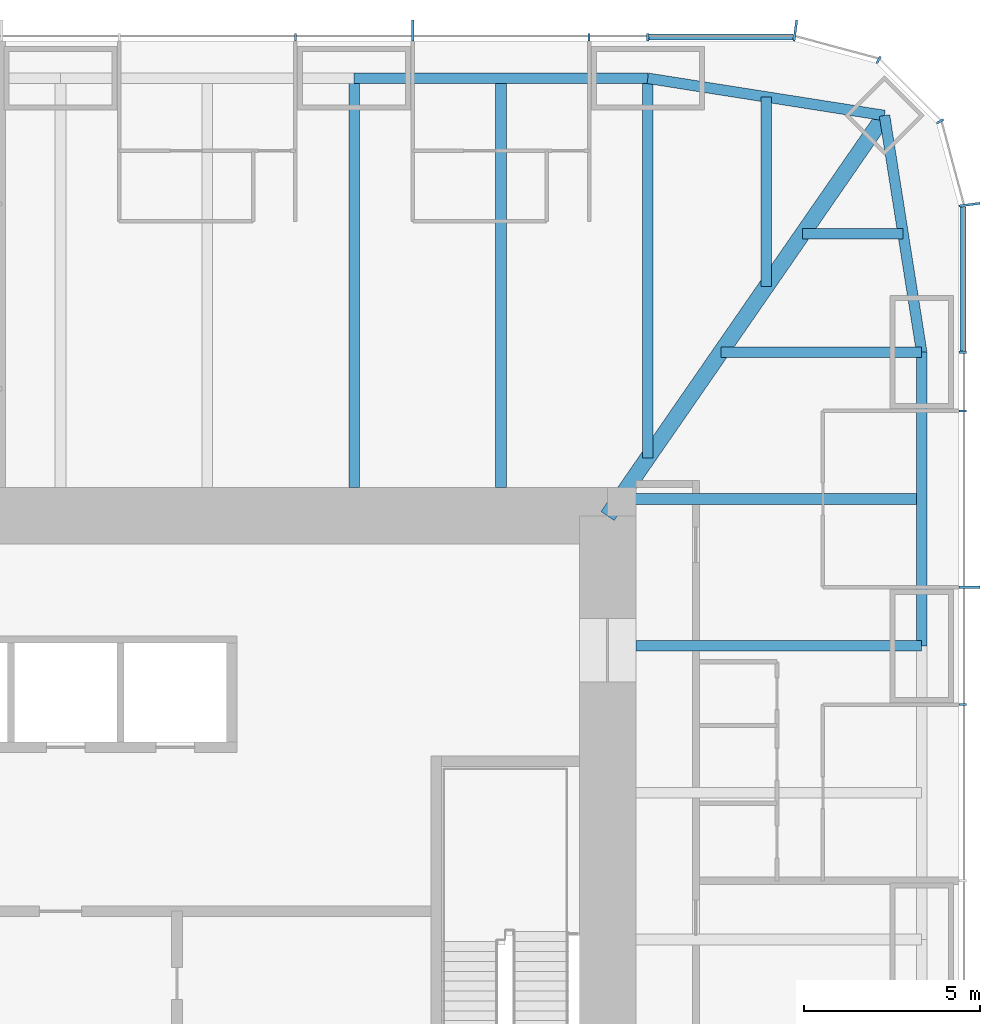
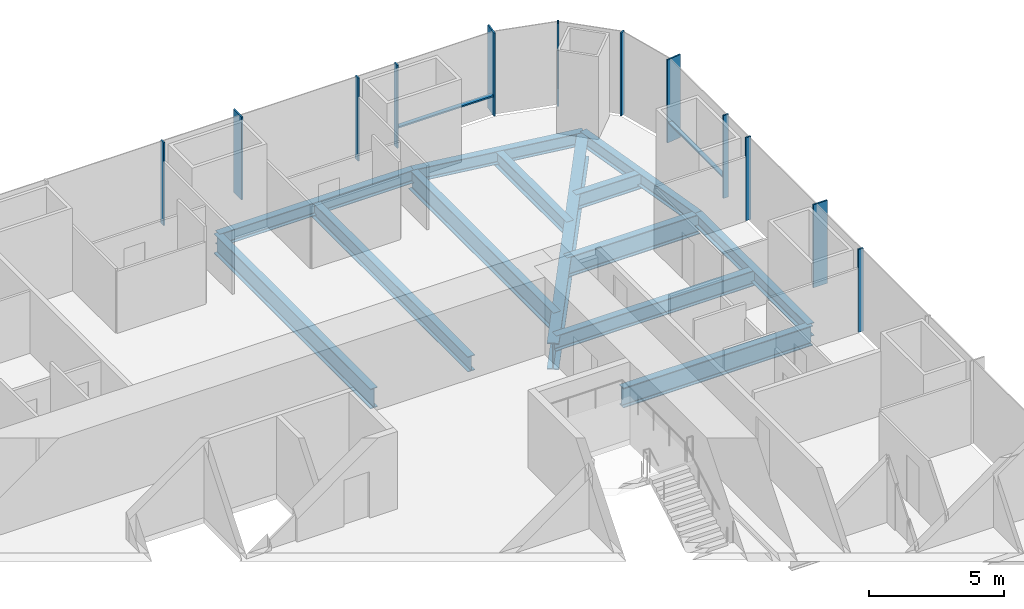
# One storey, part 6 of 13: 14 members, 13 beams, 3 elements without a shape of their own.
"""IFC4 building model written with IfcOpenShell, lengths in metres."""

import ifcopenshell
import ifcopenshell.guid

model = None  # the IFC model being written
_history = None  # IfcOwnerHistory: only IFC2X3 demands one
_inside = {}  # id of a spatial element -> (the spatial element, [elements in it])
_under = {}  # id of a project, library or spatial element -> (it, [spatial elements below it])
_declared = {}  # id of a project -> (the project, [libraries it declares])
_typed = {}  # id of a type object -> (the type object, [elements of that type])
_made_of = {}  # id of a material, layer set ... -> (it, [elements and type objects made of it])


def new_model(schema):
    """Start an empty IFC model of exactly this schema.

    Asked for "IFC4X3", IfcOpenShell would pick the latest addendum, in which some entities
    have other attributes; the version numbers below select the first issue.
    IFC2X3 requires an IfcOwnerHistory on every rooted entity: one is made here for all.
    """
    global model, _history
    if schema == "IFC4X3":
        model = ifcopenshell.file(schema_version=(4, 3, 0, 0))
    else:
        model = ifcopenshell.file(schema=schema)
    _inside.clear()
    _under.clear()
    _declared.clear()
    _typed.clear()
    _made_of.clear()
    _history = None
    if model.schema == "IFC2X3":
        org = make("IfcOrganization", Name="unknown")
        user = make(
            "IfcPersonAndOrganization",
            ThePerson=make("IfcPerson", FamilyName="unknown"),
            TheOrganization=org,
        )
        app = make(
            "IfcApplication",
            ApplicationDeveloper=org,
            Version="unknown",
            ApplicationFullName="unknown",
            ApplicationIdentifier="unknown",
        )
        _history = make(
            "IfcOwnerHistory",
            OwningUser=user,
            OwningApplication=app,
            ChangeAction="ADDED",
            CreationDate=0,
        )
    return model


def make(cls, **values):
    """One entity of the class cls with the attributes given. An attribute that is None is left unset."""
    return model.create_entity(
        cls, **{name: value for name, value in values.items() if value is not None}
    )


def rooted(cls, **values):
    """An entity with a GlobalId (a new one), such as an element, a storey or a relation."""
    return make(cls, GlobalId=ifcopenshell.guid.new(), OwnerHistory=_history, **values)


def si_unit(unit_type, name, prefix=None):
    """IfcSIUnit, for example si_unit("LENGTHUNIT", "METRE", prefix="MILLI")."""
    return make("IfcSIUnit", UnitType=unit_type, Prefix=prefix, Name=name)


def assignment(units):
    """IfcUnitAssignment: the units of a project."""
    return None if units is None else make("IfcUnitAssignment", Units=units)


def point(xyz):
    """IfcCartesianPoint."""
    return None if xyz is None else make("IfcCartesianPoint", Coordinates=xyz)


def direction(xyz):
    """IfcDirection."""
    return None if xyz is None else make("IfcDirection", DirectionRatios=xyz)


def frame(location, z_axis=None, x_axis=None):
    """IfcAxis2Placement3D, a coordinate frame: its origin and axes. An axis left out is left unset."""
    return make(
        "IfcAxis2Placement3D",
        Location=point(location),
        Axis=direction(z_axis),
        RefDirection=direction(x_axis),
    )


def frame_2d(location, x_axis=None):
    """IfcAxis2Placement2D, a coordinate frame in the plane: its origin and x axis."""
    return make(
        "IfcAxis2Placement2D", Location=point(location), RefDirection=direction(x_axis)
    )


def origin():
    """The frame at (0, 0, 0) with its axes left unset."""
    return frame((0.0, 0.0, 0.0))


def origin_2d():
    """The frame at (0, 0) in the plane with its x axis left unset."""
    return frame_2d((0.0, 0.0))


def place(relative_to, where):
    """IfcLocalPlacement: puts the frame where relative to a parent placement (None: the world)."""
    return make(
        "IfcLocalPlacement", PlacementRelTo=relative_to, RelativePlacement=where
    )


def context(
    kind, dimensions, precision=None, world=None, true_north=None, identifier=None
):
    """IfcGeometricRepresentationContext, for example the 3D "Model" context."""
    return make(
        "IfcGeometricRepresentationContext",
        ContextIdentifier=identifier,
        ContextType=kind,
        CoordinateSpaceDimension=dimensions,
        Precision=precision,
        WorldCoordinateSystem=world,
        TrueNorth=true_north,
    )


def subcontext(parent, identifier, kind, view, scale=None):
    """IfcGeometricRepresentationSubContext, for example "Body" below "Model"."""
    return make(
        "IfcGeometricRepresentationSubContext",
        ContextIdentifier=identifier,
        ContextType=kind,
        ParentContext=parent,
        TargetScale=scale,
        TargetView=view,
    )


def project(units=None, contexts=None):
    """IfcProject with its units and contexts."""
    return rooted(
        "IfcProject",
        Name="project",
        RepresentationContexts=contexts,
        UnitsInContext=assignment(units),
    )


def spatial(cls, under=None, at=None, **own):
    """A site, building, storey or space (cls), placed at a placement, below another one or the project."""
    s = rooted(cls, ObjectPlacement=at, **own)
    if under is not None:
        _under.setdefault(under.id(), (under, []))[1].append(s)
    return s


def profile(cls, at=None, kind="AREA", **sizes):
    """A parametric profile (cls). Its sizes go by their IFC names, for example OverallWidth=200.0."""
    return make(cls, ProfileType=kind, Position=at, **sizes)


def rectangle(**sizes):
    """IfcRectangleProfileDef."""
    return profile("IfcRectangleProfileDef", **sizes)


def i_section(**sizes):
    """IfcIShapeProfileDef."""
    return profile("IfcIShapeProfileDef", **sizes)


def extrude(swept, where, along, depth):
    """IfcExtrudedAreaSolid: the profile swept, set in the frame where, extruded along a direction by depth."""
    return make(
        "IfcExtrudedAreaSolid",
        SweptArea=swept,
        Position=where,
        ExtrudedDirection=direction(along),
        Depth=depth,
    )


def shape(context_of_items, identifier, shape_type, items):
    """IfcShapeRepresentation: the items that make up one representation, for example the "Body"."""
    return make(
        "IfcShapeRepresentation",
        ContextOfItems=context_of_items,
        RepresentationIdentifier=identifier,
        RepresentationType=shape_type,
        Items=items,
    )


def material(Name=None, Category=None):
    """IfcMaterial."""
    return make("IfcMaterial", Name=Name, Category=Category)


def material_profile(
    of_material, cross_section, Name=None, Category=None, Priority=None
):
    """IfcMaterialProfile: a cross section and its material."""
    return make(
        "IfcMaterialProfile",
        Name=Name,
        Material=of_material,
        Profile=cross_section,
        Priority=Priority,
        Category=Category,
    )


def profile_set(profiles, Name=None, composite=None):
    """IfcMaterialProfileSet."""
    return make(
        "IfcMaterialProfileSet",
        Name=Name,
        MaterialProfiles=profiles,
        CompositeProfile=composite,
    )


def made_of(thing, what):
    """Note that an element or type object is made of a material, layer set ...; save() writes the relation."""
    if what is not None:
        _made_of.setdefault(what.id(), (what, []))[1].append(thing)
    return thing


def type_object(cls, material=None, **own):
    """A type object (cls), such as IfcWallType, which elements share."""
    return made_of(rooted(cls, **own), material)


def element(
    cls,
    number,
    at=None,
    inside=None,
    cuts=None,
    type_object=None,
    material=None,
    context=None,
    identifier="Body",
    shape_type=None,
    held_by="IfcProductDefinitionShape",
    body=None,
    shapes=None,
    **own,
):
    """One element of the class cls, such as IfcWall. Its Tag is "e" and its number.

    at: its placement. inside: the storey or other place that contains it. cuts: it is an
    opening in that element (IfcRelVoidsElement). A single representation is given by context,
    identifier, shape_type and body (its items); several are given by shapes. held_by: the class
    of the entity that holds the representations. save() writes the other relations.
    """
    e = rooted(cls, Tag="e%d" % number, ObjectPlacement=at, **own)
    if body is not None:
        shapes = [shape(context, identifier, shape_type, body)]
    if shapes is not None:
        e.Representation = make(held_by, Representations=shapes)
    if inside is not None:
        _inside.setdefault(inside.id(), (inside, []))[1].append(e)
    if cuts is not None:
        rooted(
            "IfcRelVoidsElement", RelatingBuildingElement=cuts, RelatedOpeningElement=e
        )
    if type_object is not None:
        _typed.setdefault(type_object.id(), (type_object, []))[1].append(e)
    return made_of(e, material)


def aggregate(whole, parts):
    """IfcRelAggregates: a whole, such as a stair, and the parts it consists of."""
    return rooted("IfcRelAggregates", RelatingObject=whole, RelatedObjects=parts)


def save(model, path):
    """Write the relations noted so far, then the file.

    IfcRelAggregates (storeys below a building ...), IfcRelContainedInSpatialStructure (elements
    in a storey), IfcRelDefinesByType, IfcRelAssociatesMaterial and IfcRelDeclares: one each for
    every whole, place, type object, material and project.
    """
    for whole, parts in _under.values():
        aggregate(whole, parts)
    for where, things in _inside.values():
        rooted(
            "IfcRelContainedInSpatialStructure",
            RelatedElements=things,
            RelatingStructure=where,
        )
    for kind, things in _typed.values():
        rooted("IfcRelDefinesByType", RelatedObjects=things, RelatingType=kind)
    for what, things in _made_of.values():
        rooted("IfcRelAssociatesMaterial", RelatedObjects=things, RelatingMaterial=what)
    for by, libraries in _declared.values():
        rooted("IfcRelDeclares", RelatingContext=by, RelatedDefinitions=libraries)
    model.write(path)


model = new_model("IFC4")

# Units and contexts
model_context = context("Model", 3, precision=1e-05, world=origin(), true_north=direction((0.0, 1.0)))
body_context = subcontext(model_context, "Body", "Model", "MODEL_VIEW")
ifc_project = project(units=[si_unit("LENGTHUNIT", "METRE"), si_unit("AREAUNIT", "SQUARE_METRE"), si_unit("VOLUMEUNIT", "CUBIC_METRE"), si_unit("PLANEANGLEUNIT", "RADIAN"), si_unit("MASSUNIT", "GRAM", prefix="KILO")], contexts=[model_context])

# Site, building, storey
site_placement = place(None, origin())
site = spatial("IfcSite", under=ifc_project, at=site_placement, CompositionType="ELEMENT")
building_placement = place(site_placement, origin())
building = spatial("IfcBuilding", under=site, at=building_placement, Name="Khuree Lantern Residences", CompositionType="ELEMENT")
storey_placement = place(building_placement, frame((0.0, 0.0, 267.0)))
storey = spatial("IfcBuildingStorey", under=building, at=storey_placement, Name="L67", CompositionType="ELEMENT", Elevation=267.0)

# Beams
ifc_material_1 = material(Name="Steel S355", Category="steel")
ifc_material_profile_1 = material_profile(ifc_material_1, i_section(OverallWidth=0.300048828125, OverallDepth=0.68994140625, WebThickness=0.014404296875, FlangeThickness=0.027099609375, FilletRadius=0.027099609375, at=origin_2d()), Name="HE 700 A")
ifc_profile_set_1 = profile_set([ifc_material_profile_1], Name="Steel S355")
beam_type_1 = type_object("IfcBeamType", Name="B-35 SECONDARY BEAM HE 700 A", PredefinedType="BEAM", material=ifc_profile_set_1)
beam_1_placement = place(storey_placement, frame((12.47998046875, 24.39990234375, -0.594970703125), z_axis=(0.0, -1.0, 0.0), x_axis=(1.0, 0.0, 0.0)))
element("IfcBeam", 1, at=beam_1_placement, inside=storey, type_object=beam_type_1, Name="Secondary beam N4", PredefinedType="BEAM", context=body_context, shape_type="SweptSolid", body=[
    extrude(i_section(OverallWidth=0.300048828125, OverallDepth=0.68994140625, WebThickness=0.014404296875, FlangeThickness=0.027099609375, FilletRadius=0.027099609375, at=origin_2d()), origin(), (0.0, 0.0, 1.0), 11.599853515625),
])
beam_2_placement = place(storey_placement, frame((19.992919921875, 23.872802734375, -0.594970703125), z_axis=(0.0, -1.0, 0.0), x_axis=(1.0, 0.0, 0.0)))
element("IfcBeam", 2, at=beam_2_placement, inside=storey, type_object=beam_type_1, Name="Secondary beam N5", PredefinedType="BEAM", context=body_context, shape_type="SweptSolid", body=[
    extrude(i_section(OverallWidth=0.300048828125, OverallDepth=0.68994140625, WebThickness=0.014404296875, FlangeThickness=0.027099609375, FilletRadius=0.027099609375, at=origin_2d()), origin(), (0.0, 0.0, 1.0), 5.375732421875),
])
beam_3_placement = place(storey_placement, frame((23.872802734375, 19.992919921875, -0.594970703125), z_axis=(-1.0, 0.0, 0.0), x_axis=(0.0, -1.0, 0.0)))
element("IfcBeam", 3, at=beam_3_placement, inside=storey, type_object=beam_type_1, Name="Secondary beam E1", PredefinedType="BEAM", context=body_context, shape_type="SweptSolid", body=[
    extrude(i_section(OverallWidth=0.300048828125, OverallDepth=0.68994140625, WebThickness=0.014404296875, FlangeThickness=0.027099609375, FilletRadius=0.027099609375, at=origin_2d()), origin(), (0.0, 0.0, 1.0), 2.845703125),
])
beam_4_placement = place(storey_placement, frame((24.39990234375, 12.47998046875, -0.594970703125), z_axis=(-1.0, 0.0, 0.0), x_axis=(0.0, -1.0, 0.0)))
element("IfcBeam", 4, at=beam_4_placement, inside=storey, type_object=beam_type_1, Name="Secondary beam E2", PredefinedType="BEAM", context=body_context, shape_type="SweptSolid", body=[
    extrude(i_section(OverallWidth=0.300048828125, OverallDepth=0.68994140625, WebThickness=0.014404296875, FlangeThickness=0.027099609375, FilletRadius=0.027099609375, at=origin_2d()), origin(), (0.0, 0.0, 1.0), 8.56787109375),
])
ifc_material_profile_2 = material_profile(ifc_material_1, i_section(OverallWidth=0.300048828125, OverallDepth=0.590087890625, WebThickness=0.012939453125, FlangeThickness=0.02490234375, FilletRadius=0.027099609375, at=origin_2d()), Name="HE 600 A")
ifc_profile_set_2 = profile_set([ifc_material_profile_2], Name="Steel S355")
beam_type_2 = type_object("IfcBeamType", Name="E-35 SPANDREL BEAM HE 600 A", PredefinedType="SPANDREL", material=ifc_profile_set_2)
beam_5_placement = place(storey_placement, frame((8.320068359375, 24.39990234375, -0.544921875), z_axis=(1.0, 0.0, 0.0), x_axis=(0.0, 1.0, 0.0)))
element("IfcBeam", 5, at=beam_5_placement, inside=storey, type_object=beam_type_2, Name="Spandrel beam N4", PredefinedType="SPANDREL", context=body_context, shape_type="SweptSolid", body=[
    extrude(i_section(OverallWidth=0.300048828125, OverallDepth=0.590087890625, WebThickness=0.012939453125, FlangeThickness=0.02490234375, FilletRadius=0.027099609375, at=origin_2d()), origin(), (0.0, 0.0, 1.0), 8.31982421875),
])
for number, where, z_axis, x_axis, name in (
    (6, (16.639892578125, 24.39990234375, -0.544921875), (0.98786743189, -0.155299507442, 0.0), (0.155299507442, 0.98786743189, 0.0), "Spandrel beam N5"),
    (7, (23.345703125, 23.345703125, -0.544921875), (0.155299507442, -0.98786743189, 0.0), (0.98786743189, 0.155299507442, 0.0), "Spandrel beam E1"),
):
    element("IfcBeam", number, at=place(storey_placement, frame(where, z_axis=z_axis, x_axis=x_axis)), inside=storey, type_object=beam_type_2, Name=name, PredefinedType="SPANDREL", context=body_context, shape_type="SweptSolid", body=[
        extrude(i_section(OverallWidth=0.300048828125, OverallDepth=0.590087890625, WebThickness=0.012939453125, FlangeThickness=0.02490234375, FilletRadius=0.027099609375, at=origin_2d()), origin(), (0.0, 0.0, 1.0), 6.7880859375),
    ])
beam_6_placement = place(storey_placement, frame((24.39990234375, 16.639892578125, -0.544921875), z_axis=(0.0, -1.0, 0.0), x_axis=(1.0, 0.0, 0.0)))
element("IfcBeam", 8, at=beam_6_placement, inside=storey, type_object=beam_type_2, Name="Spandrel beam E2", PredefinedType="SPANDREL", context=body_context, shape_type="SweptSolid", body=[
    extrude(i_section(OverallWidth=0.300048828125, OverallDepth=0.590087890625, WebThickness=0.012939453125, FlangeThickness=0.02490234375, FilletRadius=0.027099609375, at=origin_2d()), origin(), (0.0, 0.0, 1.0), 8.31982421875),
])

# Curtain wall, member
ifc_material_2 = material(Name="Bronze anodised aluminium", Category="aluminium")
curtain_wall_type_1 = type_object("IfcCurtainWallType", Name="CW-T1 TOWER FACE CURTAIN WALL", PredefinedType="USERDEFINED", material=ifc_material_2)
curtain_wall_1_placement = place(storey_placement, origin())
curtain_wall_1 = element("IfcCurtainWall", 9, at=curtain_wall_1_placement, inside=storey, type_object=curtain_wall_type_1, Name="L67 EAST FACE CURTAIN WALL", ObjectType="Stick-built curtain wall", PredefinedType="USERDEFINED")
ifc_material_profile_3 = material_profile(ifc_material_2, rectangle(XDim=0.06494140625, YDim=0.60009765625, at=origin_2d()), Name="F1 65X600")
ifc_profile_set_3 = profile_set([ifc_material_profile_3], Name="Bronze anodised aluminium")
member_type_1 = type_object("IfcMemberType", Name="F1 BRONZE FIN MULLION TOWER 65X600", PredefinedType="MULLION", material=ifc_profile_set_3)
member_1_placement = place(storey_placement, frame((25.75, 9.98388671875, 0.0), z_axis=(0.0, 0.0, 1.0), x_axis=(0.0, 1.0, 0.0)))
member_1 = element("IfcMember", 10, at=member_1_placement, type_object=member_type_1, Name="L67 EAST FACE FIN MULLION 12", PredefinedType="MULLION", context=body_context, shape_type="SweptSolid", body=[
    extrude(rectangle(XDim=0.06494140625, YDim=0.60009765625, at=origin_2d()), origin(), (0.0, 0.0, 1.0), 3.75),
])

curtain_wall_type_2 = type_object("IfcCurtainWallType", Name="CW-T2 TOWER CORNER CURTAIN WALL", PredefinedType="USERDEFINED", material=ifc_material_2)
curtain_wall_2_placement = place(storey_placement, origin())
curtain_wall_2 = element("IfcCurtainWall", 11, at=curtain_wall_2_placement, inside=storey, type_object=curtain_wall_type_2, Name="L67 NORTH-EAST CORNER CURTAIN WALL", ObjectType="Faceted corner curtain wall", PredefinedType="USERDEFINED")
member_2_placement = place(storey_placement, frame((25.75, 20.81982421875, 0.0), z_axis=(0.0, 0.0, 1.0), x_axis=(-0.130526180298, 0.991444862943, 0.0)))
member_2 = element("IfcMember", 12, at=member_2_placement, type_object=member_type_1, Name="L67 NORTH-EAST CORNER FIN MULLION 15", PredefinedType="MULLION", context=body_context, shape_type="SweptSolid", body=[
    extrude(rectangle(XDim=0.06494140625, YDim=0.60009765625, at=origin_2d()), origin(), (0.0, 0.0, 1.0), 3.75),
])

# Curtain wall, members
curtain_wall_3_placement = place(storey_placement, origin())
curtain_wall_3 = element("IfcCurtainWall", 13, at=curtain_wall_3_placement, inside=storey, type_object=curtain_wall_type_1, Name="L67 NORTH FACE CURTAIN WALL", ObjectType="Stick-built curtain wall", PredefinedType="USERDEFINED")
member_3_placement = place(storey_placement, frame((20.81982421875, 25.75, 0.0), z_axis=(0.0, 0.0, 1.0), x_axis=(-0.991444862943, 0.130526180298, 0.0)))
member_3 = element("IfcMember", 14, at=member_3_placement, type_object=member_type_1, Name="L67 NORTH FACE FIN MULLION 18", PredefinedType="MULLION", context=body_context, shape_type="SweptSolid", body=[
    extrude(rectangle(XDim=0.06494140625, YDim=0.60009765625, at=origin_2d()), origin(), (0.0, 0.0, 1.0), 3.75),
])
member_4_placement = place(storey_placement, frame((9.98388671875, 25.75, 0.0), z_axis=(0.0, 0.0, 1.0), x_axis=(-1.0, 0.0, 0.0)))
member_4 = element("IfcMember", 15, at=member_4_placement, type_object=member_type_1, Name="L67 NORTH FACE FIN MULLION 21", PredefinedType="MULLION", context=body_context, shape_type="SweptSolid", body=[
    extrude(rectangle(XDim=0.06494140625, YDim=0.60009765625, at=origin_2d()), origin(), (0.0, 0.0, 1.0), 3.75),
])

# Beams
ifc_material_profile_4 = material_profile(ifc_material_1, i_section(OverallWidth=0.300048828125, OverallDepth=0.89990234375, WebThickness=0.0185546875, FlangeThickness=0.034912109375, FilletRadius=0.030029296875, at=origin_2d()), Name="HE 900 B")
ifc_profile_set_4 = profile_set([ifc_material_profile_4], Name="Steel S355")
beam_type_3 = type_object("IfcBeamType", Name="G-35 GIRDER HE 900 B", PredefinedType="BEAM", material=ifc_profile_set_4)
beam_7_placement = place(storey_placement, frame((8.320068359375, 24.39990234375, -0.699951171875), z_axis=(0.0, -1.0, 0.0), x_axis=(1.0, 0.0, 0.0)))
element("IfcBeam", 16, at=beam_7_placement, inside=storey, type_object=beam_type_3, Name="Girder N4", PredefinedType="BEAM", context=body_context, shape_type="SweptSolid", body=[
    extrude(i_section(OverallWidth=0.300048828125, OverallDepth=0.89990234375, WebThickness=0.0185546875, FlangeThickness=0.034912109375, FilletRadius=0.030029296875, at=origin_2d()), origin(), (0.0, 0.0, 1.0), 11.599853515625),
])
beam_8_placement = place(storey_placement, frame((16.639892578125, 24.39990234375, -0.699951171875), z_axis=(0.0, -1.0, 0.0), x_axis=(1.0, 0.0, 0.0)))
element("IfcBeam", 17, at=beam_8_placement, inside=storey, type_object=beam_type_3, Name="Girder N5", PredefinedType="BEAM", context=body_context, shape_type="SweptSolid", body=[
    extrude(i_section(OverallWidth=0.300048828125, OverallDepth=0.89990234375, WebThickness=0.0185546875, FlangeThickness=0.034912109375, FilletRadius=0.030029296875, at=origin_2d()), origin(), (0.0, 0.0, 1.0), 10.751220703125),
])
beam_9_placement = place(storey_placement, frame((24.39990234375, 16.639892578125, -0.699951171875), z_axis=(-1.0, 0.0, 0.0), x_axis=(0.0, -1.0, 0.0)))
element("IfcBeam", 18, at=beam_9_placement, inside=storey, type_object=beam_type_3, Name="Girder E1", PredefinedType="BEAM", context=body_context, shape_type="SweptSolid", body=[
    extrude(i_section(OverallWidth=0.300048828125, OverallDepth=0.89990234375, WebThickness=0.0185546875, FlangeThickness=0.034912109375, FilletRadius=0.030029296875, at=origin_2d()), origin(), (0.0, 0.0, 1.0), 5.69140625),
])
beam_10_placement = place(storey_placement, frame((24.39990234375, 8.320068359375, -0.699951171875), z_axis=(-1.0, 0.0, 0.0), x_axis=(0.0, -1.0, 0.0)))
element("IfcBeam", 19, at=beam_10_placement, inside=storey, type_object=beam_type_3, Name="Girder E2", PredefinedType="BEAM", context=body_context, shape_type="SweptSolid", body=[
    extrude(i_section(OverallWidth=0.300048828125, OverallDepth=0.89990234375, WebThickness=0.0185546875, FlangeThickness=0.034912109375, FilletRadius=0.030029296875, at=origin_2d()), origin(), (0.0, 0.0, 1.0), 8.099853515625),
])
ifc_material_profile_5 = material_profile(ifc_material_1, i_section(OverallWidth=0.449951171875, OverallDepth=1.199951171875, WebThickness=0.02490234375, FlangeThickness=0.044921875, at=origin_2d()), Name="WELDED I 1200X450X25X45")
ifc_profile_set_5 = profile_set([ifc_material_profile_5], Name="Steel S355")
beam_type_4 = type_object("IfcBeamType", Name="GD-35 CORNER GIRDER WELDED I 1200X450X25X45", PredefinedType="BEAM", material=ifc_profile_set_5)
beam_11_placement = place(storey_placement, frame((23.345703125, 23.345703125, -0.85009765625), z_axis=(-0.56876813501, -0.822497907959, 0.0), x_axis=(0.822497907959, -0.56876813501, 0.0)))
element("IfcBeam", 20, at=beam_11_placement, inside=storey, type_object=beam_type_4, Name="Corner girder NE", PredefinedType="BEAM", context=body_context, shape_type="SweptSolid", body=[
    extrude(i_section(OverallWidth=0.449951171875, OverallDepth=1.199951171875, WebThickness=0.02490234375, FlangeThickness=0.044921875, at=origin_2d()), origin(), (0.0, 0.0, 1.0), 13.794189453125),
])

# Member
ifc_material_profile_6 = material_profile(ifc_material_2, rectangle(XDim=0.06494140625, YDim=0.219970703125, at=origin_2d()), Name="M1 65X220")
ifc_profile_set_6 = profile_set([ifc_material_profile_6], Name="Bronze anodised aluminium")
member_type_2 = type_object("IfcMemberType", Name="M1 BRONZE MULLION TOWER 65X220", PredefinedType="MULLION", material=ifc_profile_set_6)
member_5_placement = place(storey_placement, frame((25.56005859375, 6.656005859375, 0.0), z_axis=(0.0, 0.0, 1.0), x_axis=(0.0, 1.0, 0.0)))
member_5 = element("IfcMember", 21, at=member_5_placement, type_object=member_type_2, Name="L67 EAST FACE MULLION 11", PredefinedType="MULLION", context=body_context, shape_type="SweptSolid", body=[
    extrude(rectangle(XDim=0.06494140625, YDim=0.219970703125, at=origin_2d()), origin(), (0.0, 0.0, 1.0), 3.75),
])

member_6_placement = place(storey_placement, frame((25.56005859375, 14.97607421875, 0.0), z_axis=(0.0, 0.0, 1.0), x_axis=(0.0, 1.0, 0.0)))
member_6 = element("IfcMember", 22, at=member_6_placement, type_object=member_type_2, Name="L67 EAST FACE MULLION 13", PredefinedType="MULLION", context=body_context, shape_type="SweptSolid", body=[
    extrude(rectangle(XDim=0.06494140625, YDim=0.219970703125, at=origin_2d()), origin(), (0.0, 0.0, 1.0), 3.75),
])

member_7_placement = place(storey_placement, frame((25.56005859375, 16.639892578125, 0.0), z_axis=(0.0, 0.0, 1.0), x_axis=(0.0, 1.0, 0.0)))
member_7 = element("IfcMember", 23, at=member_7_placement, type_object=member_type_2, Name="L67 EAST FACE MULLION 14", PredefinedType="MULLION", context=body_context, shape_type="SweptSolid", body=[
    extrude(rectangle(XDim=0.06494140625, YDim=0.219970703125, at=origin_2d()), origin(), (0.0, 0.0, 1.0), 3.75),
])

member_8_placement = place(storey_placement, frame((24.92236328125, 23.179931640625, 0.0), z_axis=(0.0, 0.0, 1.0), x_axis=(-0.499999989586, 0.866025409797, 0.0)))
member_8 = element("IfcMember", 24, at=member_8_placement, type_object=member_type_2, Name="L67 NORTH-EAST CORNER MULLION 16", PredefinedType="MULLION", context=body_context, shape_type="SweptSolid", body=[
    extrude(rectangle(XDim=0.06494140625, YDim=0.219970703125, at=origin_2d()), origin(), (0.0, 0.0, 1.0), 3.75),
])

member_9_placement = place(storey_placement, frame((23.179931640625, 24.92236328125, 0.0), z_axis=(0.0, 0.0, 1.0), x_axis=(-0.866025409797, 0.499999989586, 0.0)))
member_9 = element("IfcMember", 25, at=member_9_placement, type_object=member_type_2, Name="L67 NORTH-EAST CORNER MULLION 17", PredefinedType="MULLION", context=body_context, shape_type="SweptSolid", body=[
    extrude(rectangle(XDim=0.06494140625, YDim=0.219970703125, at=origin_2d()), origin(), (0.0, 0.0, 1.0), 3.75),
])

aggregate(curtain_wall_2, [member_2, member_8, member_9])

member_10_placement = place(storey_placement, frame((16.639892578125, 25.56005859375, 0.0), z_axis=(0.0, 0.0, 1.0), x_axis=(-1.0, 0.0, 0.0)))
member_10 = element("IfcMember", 26, at=member_10_placement, type_object=member_type_2, Name="L67 NORTH FACE MULLION 19", PredefinedType="MULLION", context=body_context, shape_type="SweptSolid", body=[
    extrude(rectangle(XDim=0.06494140625, YDim=0.219970703125, at=origin_2d()), origin(), (0.0, 0.0, 1.0), 3.75),
])

member_11_placement = place(storey_placement, frame((14.97607421875, 25.56005859375, 0.0), z_axis=(0.0, 0.0, 1.0), x_axis=(-1.0, 0.0, 0.0)))
member_11 = element("IfcMember", 27, at=member_11_placement, type_object=member_type_2, Name="L67 NORTH FACE MULLION 20", PredefinedType="MULLION", context=body_context, shape_type="SweptSolid", body=[
    extrude(rectangle(XDim=0.06494140625, YDim=0.219970703125, at=origin_2d()), origin(), (0.0, 0.0, 1.0), 3.75),
])

member_12_placement = place(storey_placement, frame((6.656005859375, 25.56005859375, 0.0), z_axis=(0.0, 0.0, 1.0), x_axis=(-1.0, 0.0, 0.0)))
member_12 = element("IfcMember", 28, at=member_12_placement, type_object=member_type_2, Name="L67 NORTH FACE MULLION 22", PredefinedType="MULLION", context=body_context, shape_type="SweptSolid", body=[
    extrude(rectangle(XDim=0.06494140625, YDim=0.219970703125, at=origin_2d()), origin(), (0.0, 0.0, 1.0), 3.75),
])

ifc_material_profile_7 = material_profile(ifc_material_2, rectangle(XDim=0.179931640625, YDim=0.06494140625, at=origin_2d()), Name="T1 180X65")
ifc_profile_set_7 = profile_set([ifc_material_profile_7], Name="Bronze anodised aluminium")
member_type_3 = type_object("IfcMemberType", Name="TRANSOM T1 TOWER 180X65", PredefinedType="USERDEFINED", material=ifc_profile_set_7)
member_13_placement = place(storey_placement, frame((25.570068359375, 16.672607421875, 0.89990234375), z_axis=(0.0, 1.0, 0.0), x_axis=(-1.0, 0.0, 0.0)))
member_13 = element("IfcMember", 29, at=member_13_placement, type_object=member_type_3, Name="L67 EAST FACE TRANSOM 14.1", ObjectType="Transom", PredefinedType="USERDEFINED", context=body_context, shape_type="SweptSolid", body=[
    extrude(rectangle(XDim=0.179931640625, YDim=0.06494140625, at=origin_2d()), origin(), (0.0, 0.0, 1.0), 4.078857421875),
])

aggregate(curtain_wall_1, [member_5, member_1, member_6, member_7, member_13])

member_14_placement = place(storey_placement, frame((20.75146484375, 25.570068359375, 0.89990234375), z_axis=(-1.0, 0.0, 0.0), x_axis=(0.0, -1.0, 0.0)))
member_14 = element("IfcMember", 30, at=member_14_placement, type_object=member_type_3, Name="L67 NORTH FACE TRANSOM 18.1", ObjectType="Transom", PredefinedType="USERDEFINED", context=body_context, shape_type="SweptSolid", body=[
    extrude(rectangle(XDim=0.179931640625, YDim=0.06494140625, at=origin_2d()), origin(), (0.0, 0.0, 1.0), 4.078857421875),
])

aggregate(curtain_wall_3, [member_3, member_10, member_11, member_4, member_12, member_14])

save(model, "model.ifc")
